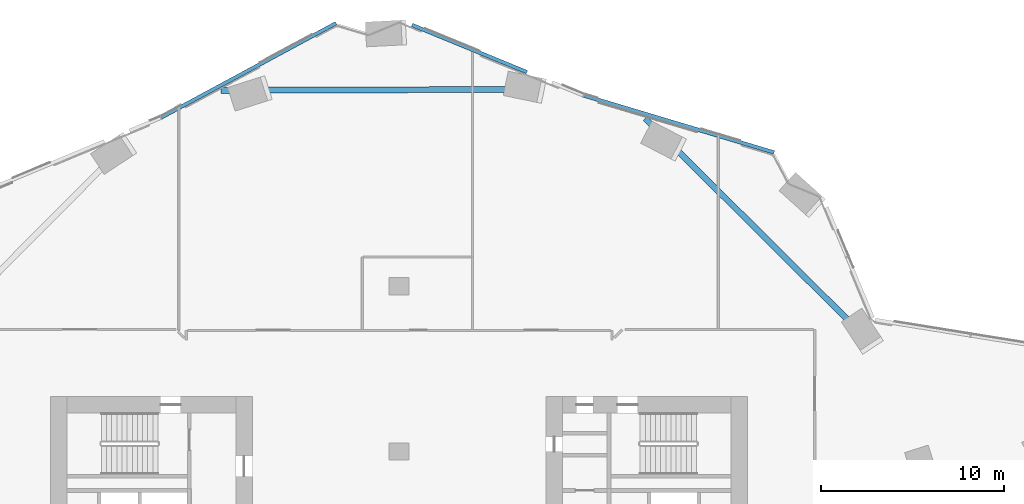
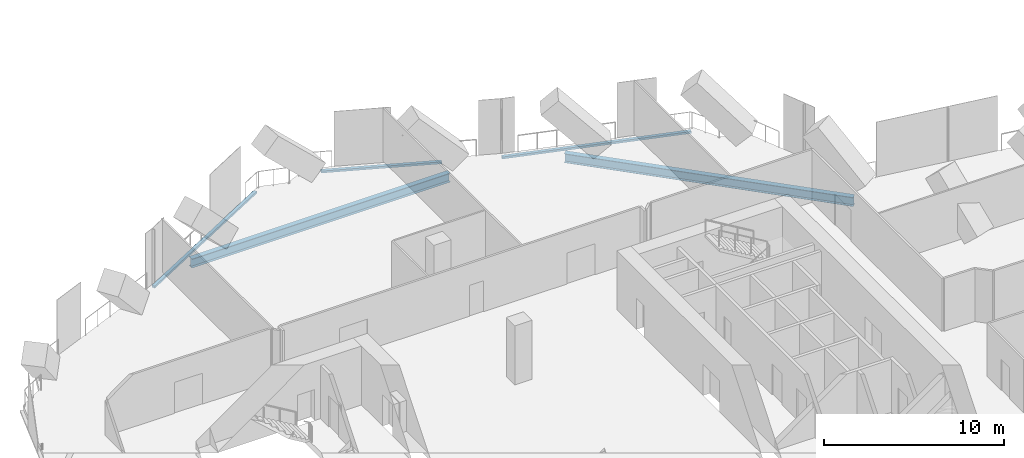
# One storey, part 13 of 37: 3 members, 2 beams, 3 elements without a shape of their own.
"""IFC4 building model written with IfcOpenShell, lengths in metres."""

from ifc_helpers import new_model, si_unit, direction, frame, origin, origin_2d, place, context, subcontext, project, spatial, rectangle, i_section, extrude, material, material_profile, profile_set, type_object, element, aggregate, save


model = new_model("IFC4")

# Units and contexts
model_context = context("Model", 3, precision=1e-05, world=origin(), true_north=direction((0.0, 1.0)))
body_context = subcontext(model_context, "Body", "Model", "MODEL_VIEW")
ifc_project = project(units=[si_unit("LENGTHUNIT", "METRE"), si_unit("AREAUNIT", "SQUARE_METRE"), si_unit("VOLUMEUNIT", "CUBIC_METRE"), si_unit("PLANEANGLEUNIT", "RADIAN"), si_unit("MASSUNIT", "GRAM", prefix="KILO")], contexts=[model_context])

# Site, building, storey
site_placement = place(None, origin())
site = spatial("IfcSite", under=ifc_project, at=site_placement, CompositionType="ELEMENT")
building_placement = place(site_placement, origin())
building = spatial("IfcBuilding", under=site, at=building_placement, Name="Orlundy Tower", CompositionType="ELEMENT")
storey_placement = place(building_placement, frame((0.0, 0.0, 119.699951171875)))
storey = spatial("IfcBuildingStorey", under=building, at=storey_placement, Name="L30", CompositionType="ELEMENT", Elevation=119.699951171875)

# Beams
ifc_material_1 = material(Name="Steel ASTM A992 Gr 50", Category="steel")
ifc_material_profile_1 = material_profile(ifc_material_1, i_section(OverallWidth=0.32373046875, OverallDepth=0.611083984375, WebThickness=0.0126953125, FlangeThickness=0.01904296875, at=origin_2d()), Name="W24X104")
ifc_profile_set_1 = profile_set([ifc_material_profile_1], Name="Steel ASTM A992 Gr 50")
beam_type = type_object("IfcBeamType", Name="CANTILEVER GIRDER beam W24X104", PredefinedType="BEAM", material=ifc_profile_set_1)
beam_1_placement = place(storey_placement, frame((-9.707275390625, 28.68798828125, -0.70556640625), z_axis=(0.999995889655, 0.002867171465, 0.0), x_axis=(-0.002867171465, 0.999995889655, 0.0)))
element("IfcBeam", 1, at=beam_1_placement, inside=storey, type_object=beam_type, Name="Cantilever girder C-H21 L30", PredefinedType="BEAM", context=body_context, shape_type="SweptSolid", body=[
    extrude(i_section(OverallWidth=0.32373046875, OverallDepth=0.611083984375, WebThickness=0.0126953125, FlangeThickness=0.01904296875, at=origin_2d()), origin(), (0.0, 0.0, 1.0), 16.604248046875),
])
beam_2_placement = place(storey_placement, frame((13.41943359375, 27.150634765625, -0.70556640625), z_axis=(0.709176670922, -0.705030814518, 0.0), x_axis=(0.705030814518, 0.709176670922, 0.0)))
element("IfcBeam", 2, at=beam_2_placement, inside=storey, type_object=beam_type, Name="Cantilever girder C-H24 L30", PredefinedType="BEAM", context=body_context, shape_type="SweptSolid", body=[
    extrude(i_section(OverallWidth=0.32373046875, OverallDepth=0.611083984375, WebThickness=0.0126953125, FlangeThickness=0.01904296875, at=origin_2d()), origin(), (0.0, 0.0, 1.0), 16.6064453125),
])

# Curtain wall, member
ifc_material_2 = material(Name="Aluminium bronze anodised", Category="aluminium")
curtain_wall_type = type_object("IfcCurtainWallType", Name="CW5 wall", PredefinedType="NOTDEFINED", material=ifc_material_2)
curtain_wall_1_placement = place(storey_placement, origin())
curtain_wall_1 = element("IfcCurtainWall", 3, at=curtain_wall_1_placement, inside=storey, type_object=curtain_wall_type, Name="CW5 run 07", PredefinedType="NOTDEFINED")
ifc_material_3 = material(Name="Aluminium bronze anodised", Category="aluminium")
ifc_material_profile_2 = material_profile(ifc_material_3, rectangle(XDim=0.199951171875, YDim=0.139892578125, at=origin_2d()), Name="CW5 transom 200x140")
ifc_profile_set_2 = profile_set([ifc_material_profile_2], Name="Aluminium bronze anodised")
member_type = type_object("IfcMemberType", Name="CW5 transom 200x140", PredefinedType="USERDEFINED", material=ifc_profile_set_2)
member_1_placement = place(storey_placement, frame((-12.951171875, 27.213134765625, -0.329833984375), z_axis=(0.880179431487, 0.474641094289, 0.0), x_axis=(-0.474641094289, 0.880179431487, 0.0)))
member_1 = element("IfcMember", 4, at=member_1_placement, type_object=member_type, Name="CW5 transom", ObjectType="TRANSOM", PredefinedType="USERDEFINED", context=body_context, shape_type="SweptSolid", body=[
    extrude(rectangle(XDim=0.199951171875, YDim=0.139892578125, at=origin_2d()), origin(), (0.0, 0.0, 1.0), 10.81103515625),
])
aggregate(curtain_wall_1, [member_1])

curtain_wall_2_placement = place(storey_placement, origin())
curtain_wall_2 = element("IfcCurtainWall", 5, at=curtain_wall_2_placement, inside=storey, type_object=curtain_wall_type, Name="CW5 run 010", PredefinedType="NOTDEFINED")
member_2_placement = place(storey_placement, frame((0.705810546875, 32.25146484375, -0.329833984375), z_axis=(0.924992206064, -0.37998607701, 0.0), x_axis=(0.37998607701, 0.924992206064, 0.0)))
member_2 = element("IfcMember", 6, at=member_2_placement, type_object=member_type, Name="CW5 transom", ObjectType="TRANSOM", PredefinedType="USERDEFINED", context=body_context, shape_type="SweptSolid", body=[
    extrude(rectangle(XDim=0.199951171875, YDim=0.139892578125, at=origin_2d()), origin(), (0.0, 0.0, 1.0), 6.77001953125),
])
aggregate(curtain_wall_2, [member_2])

curtain_wall_3_placement = place(storey_placement, origin())
curtain_wall_3 = element("IfcCurtainWall", 7, at=curtain_wall_3_placement, inside=storey, type_object=curtain_wall_type, Name="CW5 run 011", PredefinedType="NOTDEFINED")
member_3_placement = place(storey_placement, frame((10.08544921875, 28.401123046875, -0.329833984375), z_axis=(0.957980307948, -0.286833975645, 0.0), x_axis=(0.286833975645, 0.957980307948, 0.0)))
member_3 = element("IfcMember", 8, at=member_3_placement, type_object=member_type, Name="CW5 transom", ObjectType="TRANSOM", PredefinedType="USERDEFINED", context=body_context, shape_type="SweptSolid", body=[
    extrude(rectangle(XDim=0.199951171875, YDim=0.139892578125, at=origin_2d()), origin(), (0.0, 0.0, 1.0), 10.8095703125),
])
aggregate(curtain_wall_3, [member_3])

save(model, "model.ifc")
